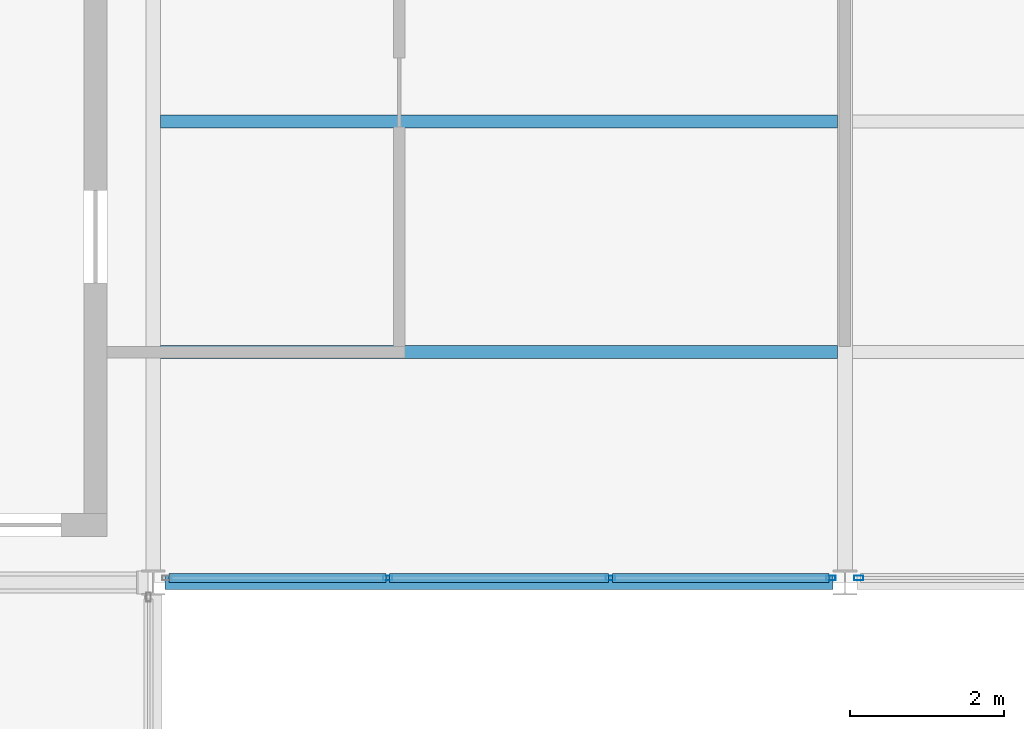
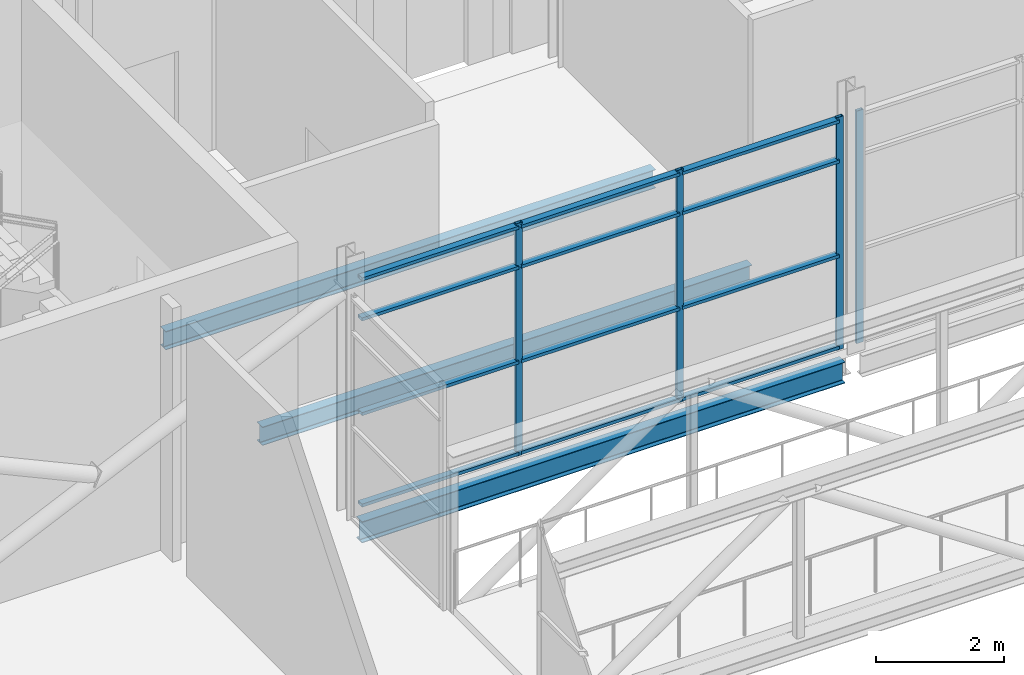
# One storey, part 56 of 115: 16 members, 3 beams, 2 elements without a shape of their own.
"""IFC4 building model written with IfcOpenShell, lengths in metres."""

from ifc_helpers import new_model, si_unit, direction, frame, origin, origin_2d, place, context, subcontext, project, spatial, hollow_rectangle, i_section, extrude, material, layer, layer_set, material_profile, profile_set, type_object, element, aggregate, save


model = new_model("IFC4")

# Units and contexts
model_context = context("Model", 3, precision=1e-05, world=origin(), true_north=direction((0.0, 1.0)))
body_context = subcontext(model_context, "Body", "Model", "MODEL_VIEW")
ifc_project = project(units=[si_unit("LENGTHUNIT", "METRE"), si_unit("AREAUNIT", "SQUARE_METRE"), si_unit("VOLUMEUNIT", "CUBIC_METRE"), si_unit("PLANEANGLEUNIT", "RADIAN"), si_unit("MASSUNIT", "GRAM", prefix="KILO")], contexts=[model_context])

# Site, building, storey
site_placement = place(None, origin())
site = spatial("IfcSite", under=ifc_project, at=site_placement, CompositionType="ELEMENT")
building_placement = place(site_placement, origin())
building = spatial("IfcBuilding", under=site, at=building_placement, Name="Shorebreak Coast Museum", CompositionType="ELEMENT")
storey_placement = place(building_placement, frame((0.0, 0.0, 11.0)))
storey = spatial("IfcBuildingStorey", under=building, at=storey_placement, Name="L02", CompositionType="ELEMENT", Elevation=11.0)

# Beams
ifc_material_1 = material(Name="Steel Grade 300", Category="steel")
ifc_material_profile_1 = material_profile(ifc_material_1, i_section(OverallWidth=0.177978515625, OverallDepth=0.402587890625, WebThickness=0.007568359375, FlangeThickness=0.010986328125, FilletRadius=0.011474609375, at=origin_2d()), Name="410UB53.7")
ifc_profile_set_1 = profile_set([ifc_material_profile_1], Name="Steel Grade 300")
beam_type_1 = type_object("IfcBeamType", Name="Floor girder east-west 410UB53.7", PredefinedType="BEAM", material=ifc_profile_set_1)
beam_placement = place(storey_placement, frame((63.155517578125, 81.0, -0.376220703125), z_axis=(1.0, 0.0, 0.0), x_axis=(0.0, 1.0, 0.0)))
element("IfcBeam", 1, at=beam_placement, inside=storey, type_object=beam_type_1, Name="Floor girder east-west L02 8K", PredefinedType="BEAM", context=body_context, shape_type="SweptSolid", body=[
    extrude(i_section(OverallWidth=0.177978515625, OverallDepth=0.402587890625, WebThickness=0.007568359375, FlangeThickness=0.010986328125, FilletRadius=0.011474609375, at=origin_2d()), origin(), (0.0, 0.0, 1.0), 8.68896484375),
])
ifc_material_2 = material(Name="Steel Grade 300", Category="steel")
ifc_material_profile_2 = material_profile(ifc_material_2, i_section(OverallWidth=0.1708984375, OverallDepth=0.35205078125, WebThickness=0.0068359375, FlangeThickness=0.009765625, FilletRadius=0.011474609375, at=origin_2d()), Name="360UB44.7")
ifc_profile_set_2 = profile_set([ifc_material_profile_2], Name="Steel Grade 300")
beam_type_2 = type_object("IfcBeamType", Name="Floor joist 360UB44.7", PredefinedType="JOIST", material=ifc_profile_set_2)
for number, where, z_axis, x_axis, name in (
    (2, (63.095458984375, 84.0, -0.35107421875), (1.0, 0.0, 0.0), (0.0, 1.0, 0.0), "Floor joist L02 bay 8K at 3000 mm"),
    (3, (63.095458984375, 87.0, -0.35107421875), (1.0, 0.0, 0.0), (0.0, 1.0, 0.0), "Floor joist L02 bay 8K at 6000 mm"),
):
    element("IfcBeam", number, at=place(storey_placement, frame(where, z_axis=z_axis, x_axis=x_axis)), inside=storey, type_object=beam_type_2, Name=name, PredefinedType="JOIST", context=body_context, shape_type="SweptSolid", body=[
        extrude(i_section(OverallWidth=0.1708984375, OverallDepth=0.35205078125, WebThickness=0.0068359375, FlangeThickness=0.009765625, FilletRadius=0.011474609375, at=origin_2d()), origin(), (0.0, 0.0, 1.0), 8.80908203125),
    ])

# Curtain wall, members
ifc_material_3 = material(Name="Aluminium", Category="aluminium")
ifc_layer = layer(ifc_material_3, 0.1201171875)
ifc_layer_set = layer_set([ifc_layer], Name="Aluminium")
curtain_wall_type = type_object("IfcCurtainWallType", Name="Atrium fire screen", PredefinedType="NOTDEFINED", material=ifc_layer_set)
curtain_wall_1_placement = place(storey_placement, origin())
curtain_wall_1 = element("IfcCurtainWall", 4, at=curtain_wall_1_placement, inside=storey, type_object=curtain_wall_type, Name="Atrium screen L02 N 22", PredefinedType="NOTDEFINED")
ifc_material_4 = material(Name="Aluminium", Category="aluminium")
ifc_material_profile_3 = material_profile(ifc_material_4, hollow_rectangle(XDim=0.06005859375, YDim=0.1201171875, WallThickness=0.00341796875, at=origin_2d()), Name="AL 120x60 RHS")
ifc_profile_set_3 = profile_set([ifc_material_profile_3], Name="Aluminium")
member_type_1 = type_object("IfcMemberType", Name="Screen mullion 50 x 120", PredefinedType="MULLION", material=ifc_profile_set_3)
member_1_placement = place(storey_placement, frame((66.0517578125, 81.06005859375, 0.0), z_axis=(0.0, 0.0, 1.0), x_axis=(0.0, 1.0, 0.0)))
member_1 = element("IfcMember", 5, at=member_1_placement, type_object=member_type_1, Name="CW5 mullion 2", PredefinedType="MULLION", context=body_context, shape_type="SweptSolid", body=[
    extrude(hollow_rectangle(XDim=0.06005859375, YDim=0.1201171875, WallThickness=0.00341796875, at=origin_2d()), origin(), (0.0, 0.0, 1.0), 4.42236328125),
])
member_2_placement = place(storey_placement, frame((68.9482421875, 81.06005859375, 0.0), z_axis=(0.0, 0.0, 1.0), x_axis=(0.0, 1.0, 0.0)))
member_2 = element("IfcMember", 6, at=member_2_placement, type_object=member_type_1, Name="CW5 mullion 3", PredefinedType="MULLION", context=body_context, shape_type="SweptSolid", body=[
    extrude(hollow_rectangle(XDim=0.06005859375, YDim=0.1201171875, WallThickness=0.00341796875, at=origin_2d()), origin(), (0.0, 0.0, 1.0), 4.42236328125),
])
member_3_placement = place(storey_placement, frame((71.819580078125, 81.06005859375, 0.0), z_axis=(0.0, 0.0, 1.0), x_axis=(0.0, 1.0, 0.0)))
member_3 = element("IfcMember", 7, at=member_3_placement, type_object=member_type_1, Name="CW5 mullion 4", PredefinedType="MULLION", context=body_context, shape_type="SweptSolid", body=[
    extrude(hollow_rectangle(XDim=0.06005859375, YDim=0.1201171875, WallThickness=0.00341796875, at=origin_2d()), origin(), (0.0, 0.0, 1.0), 4.42236328125),
])

# Curtain wall, member
curtain_wall_2_placement = place(storey_placement, origin())
curtain_wall_2 = element("IfcCurtainWall", 8, at=curtain_wall_2_placement, inside=storey, type_object=curtain_wall_type, Name="Atrium screen L02 N 23", PredefinedType="NOTDEFINED")
member_4_placement = place(storey_placement, frame((72.180419921875, 81.06005859375, 0.0), z_axis=(0.0, 0.0, 1.0), x_axis=(0.0, 1.0, 0.0)))
member_4 = element("IfcMember", 9, at=member_4_placement, type_object=member_type_1, Name="CW6 mullion 1", PredefinedType="MULLION", context=body_context, shape_type="SweptSolid", body=[
    extrude(hollow_rectangle(XDim=0.06005859375, YDim=0.1201171875, WallThickness=0.00341796875, at=origin_2d()), origin(), (0.0, 0.0, 1.0), 4.42236328125),
])
aggregate(curtain_wall_2, [member_4])

# Member
ifc_material_5 = material(Name="Aluminium", Category="aluminium")
ifc_material_profile_4 = material_profile(ifc_material_5, hollow_rectangle(XDim=0.1201171875, YDim=0.06005859375, WallThickness=0.00341796875, at=origin_2d()), Name="AL 60x120 RHS")
ifc_profile_set_4 = profile_set([ifc_material_profile_4], Name="Aluminium")
member_type_2 = type_object("IfcMemberType", Name="Screen transom 120 x 50", PredefinedType="USERDEFINED", material=ifc_profile_set_4)
member_5_placement = place(storey_placement, frame((63.20556640625, 81.06005859375, 0.06005859375), z_axis=(1.0, 0.0, 0.0), x_axis=(0.0, 1.0, 0.0)))
member_5 = element("IfcMember", 10, at=member_5_placement, type_object=member_type_2, Name="CW5 transom 1.1", ObjectType="TRANSOM", PredefinedType="USERDEFINED", context=body_context, shape_type="SweptSolid", body=[
    extrude(hollow_rectangle(XDim=0.1201171875, YDim=0.06005859375, WallThickness=0.00341796875, at=origin_2d()), origin(), (0.0, 0.0, 1.0), 2.8212890625),
])

member_6_placement = place(storey_placement, frame((63.20556640625, 81.06005859375, 1.800048828125), z_axis=(1.0, 0.0, 0.0), x_axis=(0.0, 1.0, 0.0)))
member_6 = element("IfcMember", 11, at=member_6_placement, type_object=member_type_2, Name="CW5 transom 1.2", ObjectType="TRANSOM", PredefinedType="USERDEFINED", context=body_context, shape_type="SweptSolid", body=[
    extrude(hollow_rectangle(XDim=0.1201171875, YDim=0.06005859375, WallThickness=0.00341796875, at=origin_2d()), origin(), (0.0, 0.0, 1.0), 2.8212890625),
])

member_7_placement = place(storey_placement, frame((63.20556640625, 81.06005859375, 3.60009765625), z_axis=(1.0, 0.0, 0.0), x_axis=(0.0, 1.0, 0.0)))
member_7 = element("IfcMember", 12, at=member_7_placement, type_object=member_type_2, Name="CW5 transom 1.3", ObjectType="TRANSOM", PredefinedType="USERDEFINED", context=body_context, shape_type="SweptSolid", body=[
    extrude(hollow_rectangle(XDim=0.1201171875, YDim=0.06005859375, WallThickness=0.00341796875, at=origin_2d()), origin(), (0.0, 0.0, 1.0), 2.8212890625),
])

member_8_placement = place(storey_placement, frame((63.20556640625, 81.06005859375, 4.3623046875), z_axis=(1.0, 0.0, 0.0), x_axis=(0.0, 1.0, 0.0)))
member_8 = element("IfcMember", 13, at=member_8_placement, type_object=member_type_2, Name="CW5 transom 1.4", ObjectType="TRANSOM", PredefinedType="USERDEFINED", context=body_context, shape_type="SweptSolid", body=[
    extrude(hollow_rectangle(XDim=0.1201171875, YDim=0.06005859375, WallThickness=0.00341796875, at=origin_2d()), origin(), (0.0, 0.0, 1.0), 2.8212890625),
])

member_9_placement = place(storey_placement, frame((66.076904296875, 81.06005859375, 0.06005859375), z_axis=(1.0, 0.0, 0.0), x_axis=(0.0, 1.0, 0.0)))
member_9 = element("IfcMember", 14, at=member_9_placement, type_object=member_type_2, Name="CW5 transom 2.1", ObjectType="TRANSOM", PredefinedType="USERDEFINED", context=body_context, shape_type="SweptSolid", body=[
    extrude(hollow_rectangle(XDim=0.1201171875, YDim=0.06005859375, WallThickness=0.00341796875, at=origin_2d()), origin(), (0.0, 0.0, 1.0), 2.84619140625),
])

member_10_placement = place(storey_placement, frame((66.076904296875, 81.06005859375, 1.800048828125), z_axis=(1.0, 0.0, 0.0), x_axis=(0.0, 1.0, 0.0)))
member_10 = element("IfcMember", 15, at=member_10_placement, type_object=member_type_2, Name="CW5 transom 2.2", ObjectType="TRANSOM", PredefinedType="USERDEFINED", context=body_context, shape_type="SweptSolid", body=[
    extrude(hollow_rectangle(XDim=0.1201171875, YDim=0.06005859375, WallThickness=0.00341796875, at=origin_2d()), origin(), (0.0, 0.0, 1.0), 2.84619140625),
])

member_11_placement = place(storey_placement, frame((66.076904296875, 81.06005859375, 3.60009765625), z_axis=(1.0, 0.0, 0.0), x_axis=(0.0, 1.0, 0.0)))
member_11 = element("IfcMember", 16, at=member_11_placement, type_object=member_type_2, Name="CW5 transom 2.3", ObjectType="TRANSOM", PredefinedType="USERDEFINED", context=body_context, shape_type="SweptSolid", body=[
    extrude(hollow_rectangle(XDim=0.1201171875, YDim=0.06005859375, WallThickness=0.00341796875, at=origin_2d()), origin(), (0.0, 0.0, 1.0), 2.84619140625),
])

member_12_placement = place(storey_placement, frame((66.076904296875, 81.06005859375, 4.3623046875), z_axis=(1.0, 0.0, 0.0), x_axis=(0.0, 1.0, 0.0)))
member_12 = element("IfcMember", 17, at=member_12_placement, type_object=member_type_2, Name="CW5 transom 2.4", ObjectType="TRANSOM", PredefinedType="USERDEFINED", context=body_context, shape_type="SweptSolid", body=[
    extrude(hollow_rectangle(XDim=0.1201171875, YDim=0.06005859375, WallThickness=0.00341796875, at=origin_2d()), origin(), (0.0, 0.0, 1.0), 2.84619140625),
])

member_13_placement = place(storey_placement, frame((68.97314453125, 81.06005859375, 0.06005859375), z_axis=(1.0, 0.0, 0.0), x_axis=(0.0, 1.0, 0.0)))
member_13 = element("IfcMember", 18, at=member_13_placement, type_object=member_type_2, Name="CW5 transom 3.1", ObjectType="TRANSOM", PredefinedType="USERDEFINED", context=body_context, shape_type="SweptSolid", body=[
    extrude(hollow_rectangle(XDim=0.1201171875, YDim=0.06005859375, WallThickness=0.00341796875, at=origin_2d()), origin(), (0.0, 0.0, 1.0), 2.8212890625),
])

member_14_placement = place(storey_placement, frame((68.97314453125, 81.06005859375, 1.800048828125), z_axis=(1.0, 0.0, 0.0), x_axis=(0.0, 1.0, 0.0)))
member_14 = element("IfcMember", 19, at=member_14_placement, type_object=member_type_2, Name="CW5 transom 3.2", ObjectType="TRANSOM", PredefinedType="USERDEFINED", context=body_context, shape_type="SweptSolid", body=[
    extrude(hollow_rectangle(XDim=0.1201171875, YDim=0.06005859375, WallThickness=0.00341796875, at=origin_2d()), origin(), (0.0, 0.0, 1.0), 2.8212890625),
])

member_15_placement = place(storey_placement, frame((68.97314453125, 81.06005859375, 3.60009765625), z_axis=(1.0, 0.0, 0.0), x_axis=(0.0, 1.0, 0.0)))
member_15 = element("IfcMember", 20, at=member_15_placement, type_object=member_type_2, Name="CW5 transom 3.3", ObjectType="TRANSOM", PredefinedType="USERDEFINED", context=body_context, shape_type="SweptSolid", body=[
    extrude(hollow_rectangle(XDim=0.1201171875, YDim=0.06005859375, WallThickness=0.00341796875, at=origin_2d()), origin(), (0.0, 0.0, 1.0), 2.8212890625),
])

member_16_placement = place(storey_placement, frame((68.97314453125, 81.06005859375, 4.3623046875), z_axis=(1.0, 0.0, 0.0), x_axis=(0.0, 1.0, 0.0)))
member_16 = element("IfcMember", 21, at=member_16_placement, type_object=member_type_2, Name="CW5 transom 3.4", ObjectType="TRANSOM", PredefinedType="USERDEFINED", context=body_context, shape_type="SweptSolid", body=[
    extrude(hollow_rectangle(XDim=0.1201171875, YDim=0.06005859375, WallThickness=0.00341796875, at=origin_2d()), origin(), (0.0, 0.0, 1.0), 2.8212890625),
])

aggregate(curtain_wall_1, [member_1, member_2, member_3, member_5, member_6, member_7, member_8, member_9, member_10, member_11, member_12, member_13, member_14, member_15, member_16])

save(model, "model.ifc")
